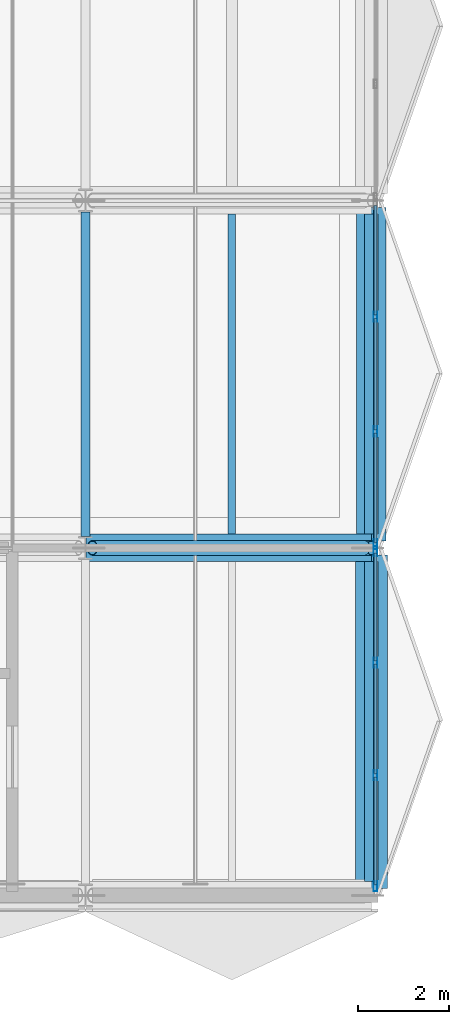
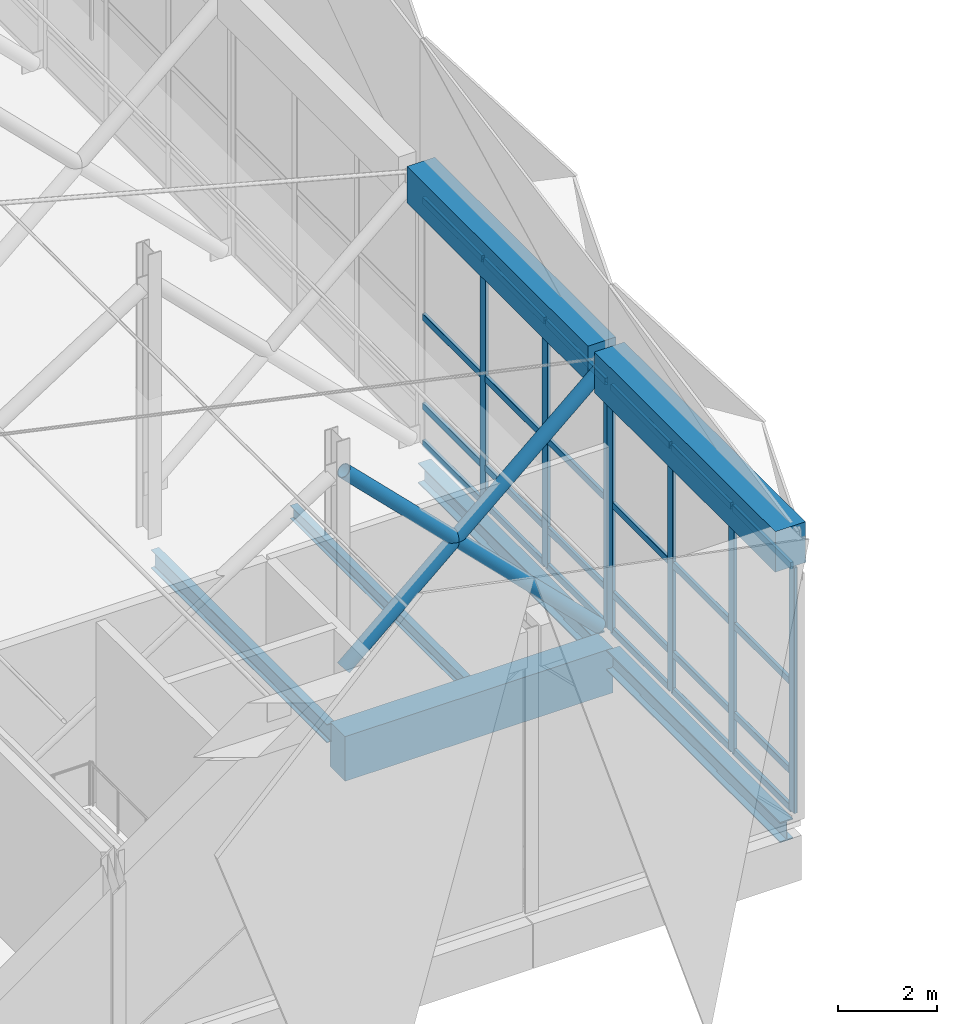
# One storey, part 7 of 46: 33 members, 7 beams, 2 elements without a shape of their own.
"""IFC4 building model written with IfcOpenShell, lengths in metres."""

from ifc_helpers import new_model, si_unit, direction, frame, origin, origin_2d, place, context, subcontext, project, spatial, rectangle, hollow_rectangle, hollow_circle, i_section, extrude, material, material_profile, profile_set, type_object, element, aggregate, save


model = new_model("IFC4")

# Units and contexts
model_context = context("Model", 3, precision=1e-05, world=origin(), true_north=direction((0.0, 1.0)))
body_context = subcontext(model_context, "Body", "Model", "MODEL_VIEW")
ifc_project = project(units=[si_unit("LENGTHUNIT", "METRE"), si_unit("AREAUNIT", "SQUARE_METRE"), si_unit("VOLUMEUNIT", "CUBIC_METRE"), si_unit("PLANEANGLEUNIT", "RADIAN"), si_unit("MASSUNIT", "GRAM", prefix="KILO")], contexts=[model_context])

# Site, building, storey
site_placement = place(None, origin())
site = spatial("IfcSite", under=ifc_project, at=site_placement, CompositionType="ELEMENT")
building_placement = place(site_placement, origin())
building = spatial("IfcBuilding", under=site, at=building_placement, Name="Khelvaren Railside Concert Hall", CompositionType="ELEMENT")
storey_placement = place(building_placement, frame((0.0, 0.0, 19.800048828125)))
storey = spatial("IfcBuildingStorey", under=building, at=storey_placement, Name="L04", CompositionType="ELEMENT", Elevation=19.800048828125)

# Beam
ifc_material_1 = material(Name="Steel S355", Category="steel")
ifc_material_profile_1 = material_profile(ifc_material_1, i_section(OverallWidth=0.18994140625, OverallDepth=0.449951171875, WebThickness=0.009521484375, FlangeThickness=0.0146484375, FilletRadius=0.02099609375, at=origin_2d()), Name="IPE 450")
ifc_profile_set_1 = profile_set([ifc_material_profile_1], Name="Steel S355")
beam_type_1 = type_object("IfcBeamType", Name="BM95", PredefinedType="BEAM", material=ifc_profile_set_1)
beam_1_placement = place(storey_placement, frame((49.60009765625, 7.85009765625, -0.4951171875), z_axis=(0.0, 1.0, 0.0), x_axis=(-1.0, 0.0, 0.0)))
element("IfcBeam", 1, at=beam_1_placement, inside=storey, type_object=beam_type_1, Name="V1 L04 Beam Y7.2", PredefinedType="BEAM", context=body_context, shape_type="SweptSolid", body=[
    extrude(i_section(OverallWidth=0.18994140625, OverallDepth=0.449951171875, WebThickness=0.009521484375, FlangeThickness=0.0146484375, FilletRadius=0.02099609375, at=origin_2d()), origin(), (0.0, 0.0, 1.0), 7.099853515625),
])

# Member
ifc_material_profile_2 = material_profile(ifc_material_1, hollow_circle(Radius=0.161865234375, WallThickness=0.01611328125, at=origin_2d()), Name="CHS 323.9x16")
ifc_profile_set_2 = profile_set([ifc_material_profile_2], Name="Steel S355")
member_type_1 = type_object("IfcMemberType", Name="BR78", PredefinedType="BRACE", material=ifc_profile_set_2)
member_1_placement = place(storey_placement, frame((49.75, 7.60009765625, 6.050048828125), z_axis=(0.710072403589, 0.0, -0.704128668399), x_axis=(0.0, 1.0, 0.0)))
element("IfcMember", 2, at=member_1_placement, inside=storey, type_object=member_type_1, Name="V1 L04 Plaza Cantilever Truss Diagonal 2A", PredefinedType="BRACE", context=body_context, shape_type="SweptSolid", body=[
    extrude(hollow_circle(Radius=0.161865234375, WallThickness=0.01611328125, at=origin_2d()), origin(), (0.0, 0.0, 1.0), 8.37939453125),
])

# Curtain wall, members
ifc_material_2 = material(Name="Triple-glazed solar-control glass", Category="glass")
curtain_wall_type_1 = type_object("IfcCurtainWallType", Name="CW80", PredefinedType="USERDEFINED", material=ifc_material_2)
curtain_wall_1_placement = place(storey_placement, origin())
curtain_wall_1 = element("IfcCurtainWall", 3, at=curtain_wall_1_placement, inside=storey, type_object=curtain_wall_type_1, Name="Unitised Curtain Wall CW-V1-L04-E-0", ObjectType="UNITISED CURTAIN WALL", PredefinedType="USERDEFINED")
ifc_material_3 = material(Name="Anodised architectural aluminium 6063-T6", Category="aluminium")
ifc_material_profile_3 = material_profile(ifc_material_3, hollow_rectangle(XDim=0.074951171875, YDim=0.219970703125, WallThickness=0.0048828125, InnerFilletRadius=0.0029296875, OuterFilletRadius=0.0048828125, at=origin_2d()), Name="CWM 75x220x5")
ifc_profile_set_3 = profile_set([ifc_material_profile_3], Name="Anodised architectural aluminium 6063-T6")
member_type_2 = type_object("IfcMemberType", Name="CWM13", PredefinedType="MULLION", material=ifc_profile_set_3)
member_2_placement = place(storey_placement, frame((55.93994140625, 7.5224609375, 0.0), z_axis=(0.0, 0.0, 1.0), x_axis=(1.0, 0.0, 0.0)))
member_2 = element("IfcMember", 4, at=member_2_placement, type_object=member_type_2, Name="CW80 mullion 1", PredefinedType="MULLION", context=body_context, shape_type="SweptSolid", body=[
    extrude(hollow_rectangle(XDim=0.074951171875, YDim=0.219970703125, WallThickness=0.0048828125, InnerFilletRadius=0.0029296875, OuterFilletRadius=0.0048828125, at=origin_2d()), origin(), (0.0, 0.0, 1.0), 6.050048828125),
])
member_3_placement = place(storey_placement, frame((55.93994140625, 5.09326171875, 0.0), z_axis=(0.0, 0.0, 1.0), x_axis=(1.0, 0.0, 0.0)))
member_3 = element("IfcMember", 5, at=member_3_placement, type_object=member_type_2, Name="CW80 mullion 2", PredefinedType="MULLION", context=body_context, shape_type="SweptSolid", body=[
    extrude(hollow_rectangle(XDim=0.074951171875, YDim=0.219970703125, WallThickness=0.0048828125, InnerFilletRadius=0.0029296875, OuterFilletRadius=0.0048828125, at=origin_2d()), origin(), (0.0, 0.0, 1.0), 6.050048828125),
])
member_4_placement = place(storey_placement, frame((55.93994140625, 2.626708984375, 0.0), z_axis=(0.0, 0.0, 1.0), x_axis=(1.0, 0.0, 0.0)))
member_4 = element("IfcMember", 6, at=member_4_placement, type_object=member_type_2, Name="CW80 mullion 3", PredefinedType="MULLION", context=body_context, shape_type="SweptSolid", body=[
    extrude(hollow_rectangle(XDim=0.074951171875, YDim=0.219970703125, WallThickness=0.0048828125, InnerFilletRadius=0.0029296875, OuterFilletRadius=0.0048828125, at=origin_2d()), origin(), (0.0, 0.0, 1.0), 6.050048828125),
])
member_5_placement = place(storey_placement, frame((55.93994140625, 0.197509765625, 0.0), z_axis=(0.0, 0.0, 1.0), x_axis=(1.0, 0.0, 0.0)))
member_5 = element("IfcMember", 7, at=member_5_placement, type_object=member_type_2, Name="CW80 mullion 4", PredefinedType="MULLION", context=body_context, shape_type="SweptSolid", body=[
    extrude(hollow_rectangle(XDim=0.074951171875, YDim=0.219970703125, WallThickness=0.0048828125, InnerFilletRadius=0.0029296875, OuterFilletRadius=0.0048828125, at=origin_2d()), origin(), (0.0, 0.0, 1.0), 6.050048828125),
])

curtain_wall_type_2 = type_object("IfcCurtainWallType", Name="CW41", PredefinedType="USERDEFINED", material=ifc_material_2)
curtain_wall_2_placement = place(storey_placement, origin())
curtain_wall_2 = element("IfcCurtainWall", 8, at=curtain_wall_2_placement, inside=storey, type_object=curtain_wall_type_2, Name="Unitised Curtain Wall CW-V1-L04-E-8", ObjectType="UNITISED CURTAIN WALL", PredefinedType="USERDEFINED")
member_6_placement = place(storey_placement, frame((55.93994140625, 12.6533203125, 0.0), z_axis=(0.0, 0.0, 1.0), x_axis=(1.0, 0.0, 0.0)))
member_6 = element("IfcMember", 9, at=member_6_placement, type_object=member_type_2, Name="CW41 mullion 2", PredefinedType="MULLION", context=body_context, shape_type="SweptSolid", body=[
    extrude(hollow_rectangle(XDim=0.074951171875, YDim=0.219970703125, WallThickness=0.0048828125, InnerFilletRadius=0.0029296875, OuterFilletRadius=0.0048828125, at=origin_2d()), origin(), (0.0, 0.0, 1.0), 6.050048828125),
])
member_7_placement = place(storey_placement, frame((55.93994140625, 10.146728515625, 0.0), z_axis=(0.0, 0.0, 1.0), x_axis=(1.0, 0.0, 0.0)))
member_7 = element("IfcMember", 10, at=member_7_placement, type_object=member_type_2, Name="CW41 mullion 3", PredefinedType="MULLION", context=body_context, shape_type="SweptSolid", body=[
    extrude(hollow_rectangle(XDim=0.074951171875, YDim=0.219970703125, WallThickness=0.0048828125, InnerFilletRadius=0.0029296875, OuterFilletRadius=0.0048828125, at=origin_2d()), origin(), (0.0, 0.0, 1.0), 6.050048828125),
])
member_8_placement = place(storey_placement, frame((55.93994140625, 7.677490234375, 0.0), z_axis=(0.0, 0.0, 1.0), x_axis=(1.0, 0.0, 0.0)))
member_8 = element("IfcMember", 11, at=member_8_placement, type_object=member_type_2, Name="CW41 mullion 4", PredefinedType="MULLION", context=body_context, shape_type="SweptSolid", body=[
    extrude(hollow_rectangle(XDim=0.074951171875, YDim=0.219970703125, WallThickness=0.0048828125, InnerFilletRadius=0.0029296875, OuterFilletRadius=0.0048828125, at=origin_2d()), origin(), (0.0, 0.0, 1.0), 6.050048828125),
])

# Member
ifc_material_profile_4 = material_profile(ifc_material_3, hollow_rectangle(XDim=0.074951171875, YDim=0.1650390625, WallThickness=0.00390625, InnerFilletRadius=0.001953125, OuterFilletRadius=0.00390625, at=origin_2d()), Name="CWT 75x165x4")
ifc_profile_set_4 = profile_set([ifc_material_profile_4], Name="Anodised architectural aluminium 6063-T6")
member_type_3 = type_object("IfcMemberType", Name="CWT46", PredefinedType="USERDEFINED", material=ifc_profile_set_4)
member_9_placement = place(storey_placement, frame((55.93994140625, 7.485107421875, 0.037353515625), z_axis=(0.0, -1.0, 0.0), x_axis=(1.0, 0.0, 0.0)))
member_9 = element("IfcMember", 12, at=member_9_placement, type_object=member_type_3, Name="CW80 transom 1.1", ObjectType="TRANSOM", PredefinedType="USERDEFINED", context=body_context, shape_type="SweptSolid", body=[
    extrude(hollow_rectangle(XDim=0.074951171875, YDim=0.1650390625, WallThickness=0.00390625, InnerFilletRadius=0.001953125, OuterFilletRadius=0.00390625, at=origin_2d()), origin(), (0.0, 0.0, 1.0), 2.354248046875),
])

member_10_placement = place(storey_placement, frame((55.93994140625, 7.485107421875, 0.949951171875), z_axis=(0.0, -1.0, 0.0), x_axis=(1.0, 0.0, 0.0)))
member_10 = element("IfcMember", 13, at=member_10_placement, type_object=member_type_3, Name="CW80 transom 1.2", ObjectType="TRANSOM", PredefinedType="USERDEFINED", context=body_context, shape_type="SweptSolid", body=[
    extrude(hollow_rectangle(XDim=0.074951171875, YDim=0.1650390625, WallThickness=0.00390625, InnerFilletRadius=0.001953125, OuterFilletRadius=0.00390625, at=origin_2d()), origin(), (0.0, 0.0, 1.0), 2.354248046875),
])

member_11_placement = place(storey_placement, frame((55.93994140625, 7.485107421875, 3.14599609375), z_axis=(0.0, -1.0, 0.0), x_axis=(1.0, 0.0, 0.0)))
member_11 = element("IfcMember", 14, at=member_11_placement, type_object=member_type_3, Name="CW80 transom 1.3", ObjectType="TRANSOM", PredefinedType="USERDEFINED", context=body_context, shape_type="SweptSolid", body=[
    extrude(hollow_rectangle(XDim=0.074951171875, YDim=0.1650390625, WallThickness=0.00390625, InnerFilletRadius=0.001953125, OuterFilletRadius=0.00390625, at=origin_2d()), origin(), (0.0, 0.0, 1.0), 2.354248046875),
])

member_12_placement = place(storey_placement, frame((55.93994140625, 7.485107421875, 6.012451171875), z_axis=(0.0, -1.0, 0.0), x_axis=(1.0, 0.0, 0.0)))
member_12 = element("IfcMember", 15, at=member_12_placement, type_object=member_type_3, Name="CW80 transom 1.4", ObjectType="TRANSOM", PredefinedType="USERDEFINED", context=body_context, shape_type="SweptSolid", body=[
    extrude(hollow_rectangle(XDim=0.074951171875, YDim=0.1650390625, WallThickness=0.00390625, InnerFilletRadius=0.001953125, OuterFilletRadius=0.00390625, at=origin_2d()), origin(), (0.0, 0.0, 1.0), 2.354248046875),
])

member_13_placement = place(storey_placement, frame((55.93994140625, 5.055908203125, 0.037353515625), z_axis=(0.0, -1.0, 0.0), x_axis=(1.0, 0.0, 0.0)))
member_13 = element("IfcMember", 16, at=member_13_placement, type_object=member_type_3, Name="CW80 transom 2.1", ObjectType="TRANSOM", PredefinedType="USERDEFINED", context=body_context, shape_type="SweptSolid", body=[
    extrude(hollow_rectangle(XDim=0.074951171875, YDim=0.1650390625, WallThickness=0.00390625, InnerFilletRadius=0.001953125, OuterFilletRadius=0.00390625, at=origin_2d()), origin(), (0.0, 0.0, 1.0), 2.391845703125),
])

member_14_placement = place(storey_placement, frame((55.93994140625, 5.055908203125, 0.949951171875), z_axis=(0.0, -1.0, 0.0), x_axis=(1.0, 0.0, 0.0)))
member_14 = element("IfcMember", 17, at=member_14_placement, type_object=member_type_3, Name="CW80 transom 2.2", ObjectType="TRANSOM", PredefinedType="USERDEFINED", context=body_context, shape_type="SweptSolid", body=[
    extrude(hollow_rectangle(XDim=0.074951171875, YDim=0.1650390625, WallThickness=0.00390625, InnerFilletRadius=0.001953125, OuterFilletRadius=0.00390625, at=origin_2d()), origin(), (0.0, 0.0, 1.0), 2.391845703125),
])

member_15_placement = place(storey_placement, frame((55.93994140625, 5.055908203125, 3.14599609375), z_axis=(0.0, -1.0, 0.0), x_axis=(1.0, 0.0, 0.0)))
member_15 = element("IfcMember", 18, at=member_15_placement, type_object=member_type_3, Name="CW80 transom 2.3", ObjectType="TRANSOM", PredefinedType="USERDEFINED", context=body_context, shape_type="SweptSolid", body=[
    extrude(hollow_rectangle(XDim=0.074951171875, YDim=0.1650390625, WallThickness=0.00390625, InnerFilletRadius=0.001953125, OuterFilletRadius=0.00390625, at=origin_2d()), origin(), (0.0, 0.0, 1.0), 2.391845703125),
])

member_16_placement = place(storey_placement, frame((55.93994140625, 5.055908203125, 6.012451171875), z_axis=(0.0, -1.0, 0.0), x_axis=(1.0, 0.0, 0.0)))
member_16 = element("IfcMember", 19, at=member_16_placement, type_object=member_type_3, Name="CW80 transom 2.4", ObjectType="TRANSOM", PredefinedType="USERDEFINED", context=body_context, shape_type="SweptSolid", body=[
    extrude(hollow_rectangle(XDim=0.074951171875, YDim=0.1650390625, WallThickness=0.00390625, InnerFilletRadius=0.001953125, OuterFilletRadius=0.00390625, at=origin_2d()), origin(), (0.0, 0.0, 1.0), 2.391845703125),
])

member_17_placement = place(storey_placement, frame((55.93994140625, 2.589111328125, 0.037353515625), z_axis=(0.0, -1.0, 0.0), x_axis=(1.0, 0.0, 0.0)))
member_17 = element("IfcMember", 20, at=member_17_placement, type_object=member_type_3, Name="CW80 transom 3.1", ObjectType="TRANSOM", PredefinedType="USERDEFINED", context=body_context, shape_type="SweptSolid", body=[
    extrude(hollow_rectangle(XDim=0.074951171875, YDim=0.1650390625, WallThickness=0.00390625, InnerFilletRadius=0.001953125, OuterFilletRadius=0.00390625, at=origin_2d()), origin(), (0.0, 0.0, 1.0), 2.35400390625),
])

member_18_placement = place(storey_placement, frame((55.93994140625, 2.589111328125, 0.949951171875), z_axis=(0.0, -1.0, 0.0), x_axis=(1.0, 0.0, 0.0)))
member_18 = element("IfcMember", 21, at=member_18_placement, type_object=member_type_3, Name="CW80 transom 3.2", ObjectType="TRANSOM", PredefinedType="USERDEFINED", context=body_context, shape_type="SweptSolid", body=[
    extrude(hollow_rectangle(XDim=0.074951171875, YDim=0.1650390625, WallThickness=0.00390625, InnerFilletRadius=0.001953125, OuterFilletRadius=0.00390625, at=origin_2d()), origin(), (0.0, 0.0, 1.0), 2.35400390625),
])

member_19_placement = place(storey_placement, frame((55.93994140625, 2.589111328125, 3.14599609375), z_axis=(0.0, -1.0, 0.0), x_axis=(1.0, 0.0, 0.0)))
member_19 = element("IfcMember", 22, at=member_19_placement, type_object=member_type_3, Name="CW80 transom 3.3", ObjectType="TRANSOM", PredefinedType="USERDEFINED", context=body_context, shape_type="SweptSolid", body=[
    extrude(hollow_rectangle(XDim=0.074951171875, YDim=0.1650390625, WallThickness=0.00390625, InnerFilletRadius=0.001953125, OuterFilletRadius=0.00390625, at=origin_2d()), origin(), (0.0, 0.0, 1.0), 2.35400390625),
])

member_20_placement = place(storey_placement, frame((55.93994140625, 2.589111328125, 6.012451171875), z_axis=(0.0, -1.0, 0.0), x_axis=(1.0, 0.0, 0.0)))
member_20 = element("IfcMember", 23, at=member_20_placement, type_object=member_type_3, Name="CW80 transom 3.4", ObjectType="TRANSOM", PredefinedType="USERDEFINED", context=body_context, shape_type="SweptSolid", body=[
    extrude(hollow_rectangle(XDim=0.074951171875, YDim=0.1650390625, WallThickness=0.00390625, InnerFilletRadius=0.001953125, OuterFilletRadius=0.00390625, at=origin_2d()), origin(), (0.0, 0.0, 1.0), 2.35400390625),
])

aggregate(curtain_wall_1, [member_2, member_3, member_4, member_5, member_9, member_10, member_11, member_12, member_13, member_14, member_15, member_16, member_17, member_18, member_19, member_20])

member_21_placement = place(storey_placement, frame((55.93994140625, 15.0849609375, 0.037353515625), z_axis=(0.0, -1.0, 0.0), x_axis=(1.0, 0.0, 0.0)))
member_21 = element("IfcMember", 24, at=member_21_placement, type_object=member_type_3, Name="CW41 transom 1.1", ObjectType="TRANSOM", PredefinedType="USERDEFINED", context=body_context, shape_type="SweptSolid", body=[
    extrude(hollow_rectangle(XDim=0.074951171875, YDim=0.1650390625, WallThickness=0.00390625, InnerFilletRadius=0.001953125, OuterFilletRadius=0.00390625, at=origin_2d()), origin(), (0.0, 0.0, 1.0), 2.39404296875),
])

member_22_placement = place(storey_placement, frame((55.93994140625, 15.0849609375, 0.949951171875), z_axis=(0.0, -1.0, 0.0), x_axis=(1.0, 0.0, 0.0)))
member_22 = element("IfcMember", 25, at=member_22_placement, type_object=member_type_3, Name="CW41 transom 1.2", ObjectType="TRANSOM", PredefinedType="USERDEFINED", context=body_context, shape_type="SweptSolid", body=[
    extrude(hollow_rectangle(XDim=0.074951171875, YDim=0.1650390625, WallThickness=0.00390625, InnerFilletRadius=0.001953125, OuterFilletRadius=0.00390625, at=origin_2d()), origin(), (0.0, 0.0, 1.0), 2.39404296875),
])

member_23_placement = place(storey_placement, frame((55.93994140625, 15.0849609375, 3.14599609375), z_axis=(0.0, -1.0, 0.0), x_axis=(1.0, 0.0, 0.0)))
member_23 = element("IfcMember", 26, at=member_23_placement, type_object=member_type_3, Name="CW41 transom 1.3", ObjectType="TRANSOM", PredefinedType="USERDEFINED", context=body_context, shape_type="SweptSolid", body=[
    extrude(hollow_rectangle(XDim=0.074951171875, YDim=0.1650390625, WallThickness=0.00390625, InnerFilletRadius=0.001953125, OuterFilletRadius=0.00390625, at=origin_2d()), origin(), (0.0, 0.0, 1.0), 2.39404296875),
])

member_24_placement = place(storey_placement, frame((55.93994140625, 15.0849609375, 6.012451171875), z_axis=(0.0, -1.0, 0.0), x_axis=(1.0, 0.0, 0.0)))
member_24 = element("IfcMember", 27, at=member_24_placement, type_object=member_type_3, Name="CW41 transom 1.4", ObjectType="TRANSOM", PredefinedType="USERDEFINED", context=body_context, shape_type="SweptSolid", body=[
    extrude(hollow_rectangle(XDim=0.074951171875, YDim=0.1650390625, WallThickness=0.00390625, InnerFilletRadius=0.001953125, OuterFilletRadius=0.00390625, at=origin_2d()), origin(), (0.0, 0.0, 1.0), 2.39404296875),
])

member_25_placement = place(storey_placement, frame((55.93994140625, 12.61572265625, 0.037353515625), z_axis=(0.0, -1.0, 0.0), x_axis=(1.0, 0.0, 0.0)))
member_25 = element("IfcMember", 28, at=member_25_placement, type_object=member_type_3, Name="CW41 transom 2.1", ObjectType="TRANSOM", PredefinedType="USERDEFINED", context=body_context, shape_type="SweptSolid", body=[
    extrude(hollow_rectangle(XDim=0.074951171875, YDim=0.1650390625, WallThickness=0.00390625, InnerFilletRadius=0.001953125, OuterFilletRadius=0.00390625, at=origin_2d()), origin(), (0.0, 0.0, 1.0), 2.431640625),
])

member_26_placement = place(storey_placement, frame((55.93994140625, 12.61572265625, 0.949951171875), z_axis=(0.0, -1.0, 0.0), x_axis=(1.0, 0.0, 0.0)))
member_26 = element("IfcMember", 29, at=member_26_placement, type_object=member_type_3, Name="CW41 transom 2.2", ObjectType="TRANSOM", PredefinedType="USERDEFINED", context=body_context, shape_type="SweptSolid", body=[
    extrude(hollow_rectangle(XDim=0.074951171875, YDim=0.1650390625, WallThickness=0.00390625, InnerFilletRadius=0.001953125, OuterFilletRadius=0.00390625, at=origin_2d()), origin(), (0.0, 0.0, 1.0), 2.431640625),
])

member_27_placement = place(storey_placement, frame((55.93994140625, 12.61572265625, 3.14599609375), z_axis=(0.0, -1.0, 0.0), x_axis=(1.0, 0.0, 0.0)))
member_27 = element("IfcMember", 30, at=member_27_placement, type_object=member_type_3, Name="CW41 transom 2.3", ObjectType="TRANSOM", PredefinedType="USERDEFINED", context=body_context, shape_type="SweptSolid", body=[
    extrude(hollow_rectangle(XDim=0.074951171875, YDim=0.1650390625, WallThickness=0.00390625, InnerFilletRadius=0.001953125, OuterFilletRadius=0.00390625, at=origin_2d()), origin(), (0.0, 0.0, 1.0), 2.431640625),
])

member_28_placement = place(storey_placement, frame((55.93994140625, 12.61572265625, 6.012451171875), z_axis=(0.0, -1.0, 0.0), x_axis=(1.0, 0.0, 0.0)))
member_28 = element("IfcMember", 31, at=member_28_placement, type_object=member_type_3, Name="CW41 transom 2.4", ObjectType="TRANSOM", PredefinedType="USERDEFINED", context=body_context, shape_type="SweptSolid", body=[
    extrude(hollow_rectangle(XDim=0.074951171875, YDim=0.1650390625, WallThickness=0.00390625, InnerFilletRadius=0.001953125, OuterFilletRadius=0.00390625, at=origin_2d()), origin(), (0.0, 0.0, 1.0), 2.431640625),
])

member_29_placement = place(storey_placement, frame((55.93994140625, 10.109130859375, 0.037353515625), z_axis=(0.0, -1.0, 0.0), x_axis=(1.0, 0.0, 0.0)))
member_29 = element("IfcMember", 32, at=member_29_placement, type_object=member_type_3, Name="CW41 transom 3.1", ObjectType="TRANSOM", PredefinedType="USERDEFINED", context=body_context, shape_type="SweptSolid", body=[
    extrude(hollow_rectangle(XDim=0.074951171875, YDim=0.1650390625, WallThickness=0.00390625, InnerFilletRadius=0.001953125, OuterFilletRadius=0.00390625, at=origin_2d()), origin(), (0.0, 0.0, 1.0), 2.39404296875),
])

member_30_placement = place(storey_placement, frame((55.93994140625, 10.109130859375, 0.949951171875), z_axis=(0.0, -1.0, 0.0), x_axis=(1.0, 0.0, 0.0)))
member_30 = element("IfcMember", 33, at=member_30_placement, type_object=member_type_3, Name="CW41 transom 3.2", ObjectType="TRANSOM", PredefinedType="USERDEFINED", context=body_context, shape_type="SweptSolid", body=[
    extrude(hollow_rectangle(XDim=0.074951171875, YDim=0.1650390625, WallThickness=0.00390625, InnerFilletRadius=0.001953125, OuterFilletRadius=0.00390625, at=origin_2d()), origin(), (0.0, 0.0, 1.0), 2.39404296875),
])

member_31_placement = place(storey_placement, frame((55.93994140625, 10.109130859375, 3.14599609375), z_axis=(0.0, -1.0, 0.0), x_axis=(1.0, 0.0, 0.0)))
member_31 = element("IfcMember", 34, at=member_31_placement, type_object=member_type_3, Name="CW41 transom 3.3", ObjectType="TRANSOM", PredefinedType="USERDEFINED", context=body_context, shape_type="SweptSolid", body=[
    extrude(hollow_rectangle(XDim=0.074951171875, YDim=0.1650390625, WallThickness=0.00390625, InnerFilletRadius=0.001953125, OuterFilletRadius=0.00390625, at=origin_2d()), origin(), (0.0, 0.0, 1.0), 2.39404296875),
])

member_32_placement = place(storey_placement, frame((55.93994140625, 10.109130859375, 6.012451171875), z_axis=(0.0, -1.0, 0.0), x_axis=(1.0, 0.0, 0.0)))
member_32 = element("IfcMember", 35, at=member_32_placement, type_object=member_type_3, Name="CW41 transom 3.4", ObjectType="TRANSOM", PredefinedType="USERDEFINED", context=body_context, shape_type="SweptSolid", body=[
    extrude(hollow_rectangle(XDim=0.074951171875, YDim=0.1650390625, WallThickness=0.00390625, InnerFilletRadius=0.001953125, OuterFilletRadius=0.00390625, at=origin_2d()), origin(), (0.0, 0.0, 1.0), 2.39404296875),
])

aggregate(curtain_wall_2, [member_6, member_7, member_8, member_21, member_22, member_23, member_24, member_25, member_26, member_27, member_28, member_29, member_30, member_31, member_32])

# Beams
ifc_material_4 = material(Name="Concrete C40/50", Category="concrete")
ifc_material_profile_5 = material_profile(ifc_material_4, rectangle(XDim=0.60009765625, YDim=1.10009765625, at=origin_2d()), Name="RCB 600x1100")
ifc_profile_set_5 = profile_set([ifc_material_profile_5], Name="Concrete C40/50")
beam_type_2 = type_object("IfcBeamType", Name="GR15", PredefinedType="T_BEAM", material=ifc_profile_set_5)
beam_2_placement = place(storey_placement, frame((49.610107421875, 7.60009765625, -0.820068359375), z_axis=(1.0, 0.0, 0.0), x_axis=(0.0, 1.0, 0.0)))
element("IfcBeam", 36, at=beam_2_placement, inside=storey, type_object=beam_type_2, Name="V1 L04 Arrival Cantilever Girder 2", PredefinedType="T_BEAM", context=body_context, shape_type="SweptSolid", body=[
    extrude(rectangle(XDim=0.60009765625, YDim=1.10009765625, at=origin_2d()), origin(), (0.0, 0.0, 1.0), 6.239990234375),
])
ifc_material_profile_6 = material_profile(ifc_material_1, i_section(OverallWidth=0.159912109375, OverallDepth=0.330078125, WebThickness=0.007568359375, FlangeThickness=0.011474609375, FilletRadius=0.01806640625, at=origin_2d()), Name="IPE 330")
ifc_profile_set_6 = profile_set([ifc_material_profile_6], Name="Steel S355")
beam_type_3 = type_object("IfcBeamType", Name="JS65", PredefinedType="JOIST", material=ifc_profile_set_6)
beam_3_placement = place(storey_placement, frame((52.800048828125, 7.89990234375, -0.43505859375), z_axis=(0.0, 1.0, 0.0), x_axis=(-1.0, 0.0, 0.0)))
element("IfcBeam", 37, at=beam_3_placement, inside=storey, type_object=beam_type_3, Name="V1 L04 Secondary Joist 7.2", PredefinedType="JOIST", context=body_context, shape_type="SweptSolid", body=[
    extrude(i_section(OverallWidth=0.159912109375, OverallDepth=0.330078125, WebThickness=0.007568359375, FlangeThickness=0.011474609375, FilletRadius=0.01806640625, at=origin_2d()), origin(), (0.0, 0.0, 1.0), 7.0),
])
ifc_material_profile_7 = material_profile(ifc_material_4, rectangle(XDim=0.699951171875, YDim=1.0, at=origin_2d()), Name="RCB 700x1000")
ifc_profile_set_7 = profile_set([ifc_material_profile_7], Name="Concrete C40/50")
beam_type_4 = type_object("IfcBeamType", Name="RB80", PredefinedType="USERDEFINED", material=ifc_profile_set_7)
beam_4_placement = place(storey_placement, frame((55.85009765625, 0.14990234375, 6.550048828125), z_axis=(0.0, 1.0, 0.0), x_axis=(-1.0, 0.0, 0.0)))
element("IfcBeam", 38, at=beam_4_placement, inside=storey, type_object=beam_type_4, Name="Main Hall Compression Ring Beam 21", ObjectType="RING BEAM", PredefinedType="USERDEFINED", context=body_context, shape_type="SweptSolid", body=[
    extrude(rectangle(XDim=0.699951171875, YDim=1.0, at=origin_2d()), origin(), (0.0, 0.0, 1.0), 7.300048828125),
])
ifc_material_profile_8 = material_profile(ifc_material_4, rectangle(XDim=0.64990234375, YDim=0.89990234375, at=origin_2d()), Name="RCB 650x900")
ifc_profile_set_8 = profile_set([ifc_material_profile_8], Name="Concrete C40/50")
beam_type_5 = type_object("IfcBeamType", Name="RB88", PredefinedType="USERDEFINED", material=ifc_profile_set_8)
beam_5_placement = place(storey_placement, frame((55.85009765625, 7.75, 6.550048828125), z_axis=(0.0, 1.0, 0.0), x_axis=(-1.0, 0.0, 0.0)))
element("IfcBeam", 39, at=beam_5_placement, inside=storey, type_object=beam_type_5, Name="Main Hall Compression Ring Beam 22", ObjectType="RING BEAM", PredefinedType="USERDEFINED", context=body_context, shape_type="SweptSolid", body=[
    extrude(rectangle(XDim=0.64990234375, YDim=0.89990234375, at=origin_2d()), origin(), (0.0, 0.0, 1.0), 7.300048828125),
])

# Member
ifc_material_profile_9 = material_profile(ifc_material_1, hollow_circle(Radius=0.161865234375, WallThickness=0.01611328125, at=origin_2d()), Name="CHS 323.9x16")
ifc_profile_set_9 = profile_set([ifc_material_profile_9], Name="Steel S355")
member_type_4 = type_object("IfcMemberType", Name="RSU41", PredefinedType="STRUT", material=ifc_profile_set_9)
member_33_placement = place(storey_placement, frame((49.75, 7.60009765625, 1.199951171875), z_axis=(0.75181197221, 0.0, 0.65937755379), x_axis=(0.0, 1.0, 0.0)))
element("IfcMember", 40, at=member_33_placement, inside=storey, type_object=member_type_4, Name="Main Hall East Cantilever Ring Strut 2", PredefinedType="STRUT", context=body_context, shape_type="SweptSolid", body=[
    extrude(hollow_circle(Radius=0.161865234375, WallThickness=0.01611328125, at=origin_2d()), origin(), (0.0, 0.0, 1.0), 8.11376953125),
])

# Beams
ifc_material_profile_10 = material_profile(ifc_material_1, i_section(OverallWidth=0.300048828125, OverallDepth=0.5, WebThickness=0.014404296875, FlangeThickness=0.028076171875, FilletRadius=0.027099609375, at=origin_2d()), Name="HEB 500")
ifc_profile_set_10 = profile_set([ifc_material_profile_10], Name="Steel S355")
beam_type_6 = type_object("IfcBeamType", Name="SP12", PredefinedType="SPANDREL", material=ifc_profile_set_10)
for number, where, z_axis, x_axis, name in (
    (41, (55.85009765625, 0.300048828125, -0.52001953125), (0.0, 1.0, 0.0), (-1.0, 0.0, 0.0), "V1 L04 Cantilever Tip Spandrel Y1"),
    (42, (55.85009765625, 7.89990234375, -0.52001953125), (0.0, 1.0, 0.0), (-1.0, 0.0, 0.0), "V1 L04 Cantilever Tip Spandrel Y2"),
):
    element("IfcBeam", number, at=place(storey_placement, frame(where, z_axis=z_axis, x_axis=x_axis)), inside=storey, type_object=beam_type_6, Name=name, PredefinedType="SPANDREL", context=body_context, shape_type="SweptSolid", body=[
        extrude(i_section(OverallWidth=0.300048828125, OverallDepth=0.5, WebThickness=0.014404296875, FlangeThickness=0.028076171875, FilletRadius=0.027099609375, at=origin_2d()), origin(), (0.0, 0.0, 1.0), 7.0),
    ])

save(model, "model.ifc")
